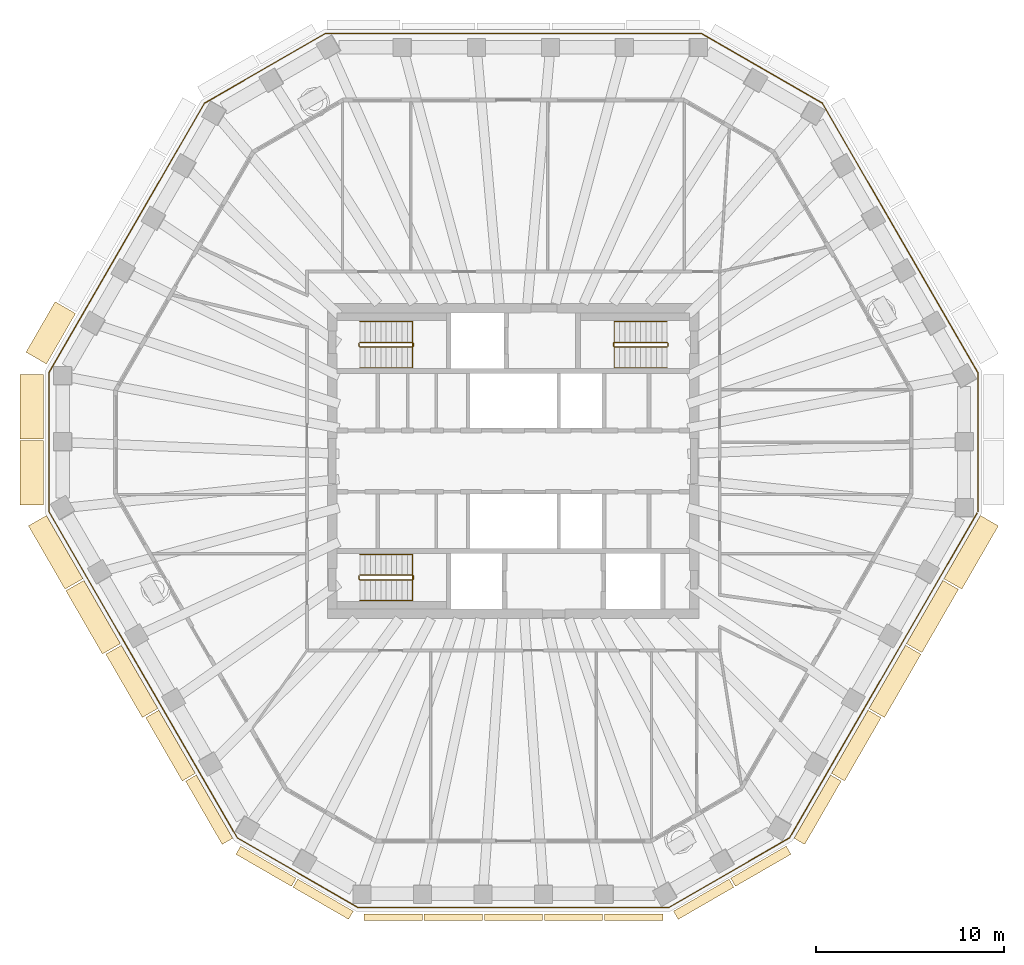
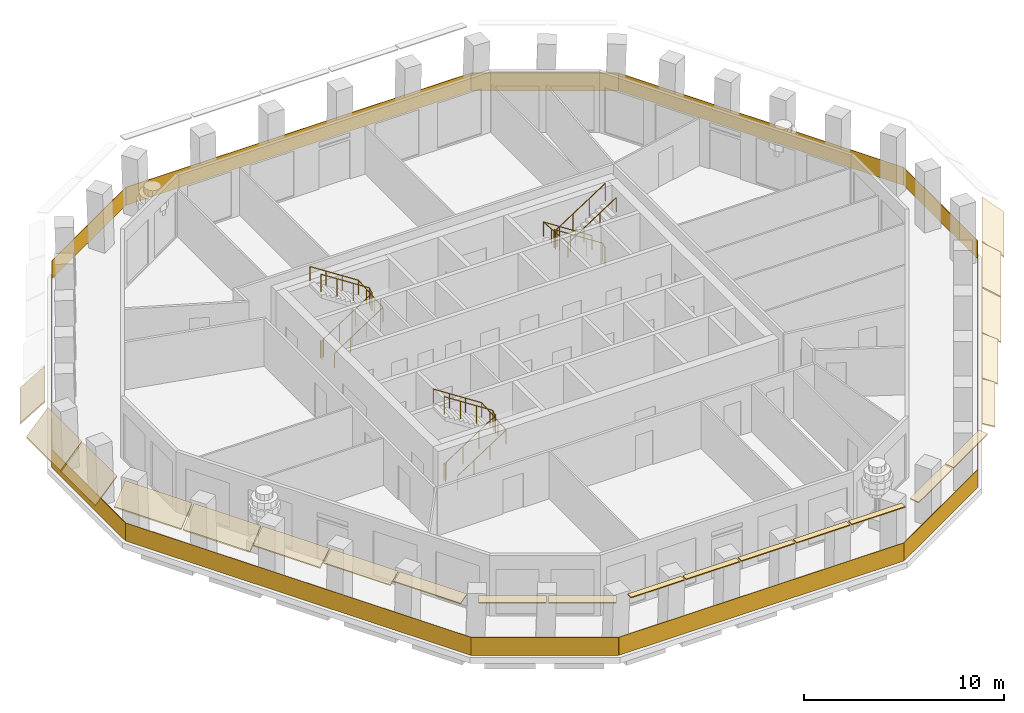
# One storey, part 8 of 11: 22 coverings, 7 railings.
"""IFC4 building model written with IfcOpenShell, lengths in metres."""

from ifc_helpers import new_model, si_unit, direction, frame, origin, origin_2d, place, context, subcontext, project, spatial, polyline, rectangle, circle, outline, extrude, material, layer, layer_set, type_object, element, save


model = new_model("IFC4")

# Units and contexts
model_context = context("Model", 3, precision=1e-05, world=origin(), true_north=direction((0.0, 1.0)))
body_context = subcontext(model_context, "Body", "Model", "MODEL_VIEW")
ifc_project = project(units=[si_unit("LENGTHUNIT", "METRE"), si_unit("AREAUNIT", "SQUARE_METRE"), si_unit("VOLUMEUNIT", "CUBIC_METRE"), si_unit("PLANEANGLEUNIT", "RADIAN"), si_unit("MASSUNIT", "GRAM", prefix="KILO")], contexts=[model_context])

# Site, building, storey
site_placement = place(None, origin())
site = spatial("IfcSite", under=ifc_project, at=site_placement, CompositionType="ELEMENT")
building_placement = place(site_placement, origin())
building = spatial("IfcBuilding", under=site, at=building_placement, Name="Frailejon Research Tower", CompositionType="ELEMENT")
storey_placement = place(building_placement, frame((0.0, 0.0, 295.0)))
storey = spatial("IfcBuildingStorey", under=building, at=storey_placement, Name="L65", CompositionType="ELEMENT", Elevation=295.0)

# Coverings
ifc_material_1 = material(Name="Precast concrete C50/60", Category="concrete")
ifc_layer_1 = layer(ifc_material_1, 0.06005859375)
ifc_layer_set_1 = layer_set([ifc_layer_1], Name="Brim blade depth 1100")
covering_type_1 = type_object("IfcCoveringType", Name="Brim blade depth 1100", PredefinedType="CLADDING", material=ifc_layer_set_1)
covering_1_placement = place(storey_placement, frame((-22.837646484375, -6.244140625, 3.85009765625), z_axis=(-0.49999544096, 0.866028035931, 0.0), x_axis=(-0.866028035931, -0.49999544096, 0.0)))
element("IfcCovering", 1, at=covering_1_placement, inside=storey, type_object=covering_type_1, Name="Brim blade L65", PredefinedType="CLADDING", context=body_context, shape_type="SweptSolid", body=[
    extrude(outline(polyline([(0.0, -0.078369140625), (1.10009765625, -1.001220703125), (1.10009765625, -0.923095703125), (0.0, 0.0), (0.0, -0.078369140625)])), origin(), (0.0, 0.0, 1.0), 3.874267578125),
])
covering_2_placement = place(storey_placement, frame((-20.8505859375, -9.685791015625, 3.85009765625), z_axis=(-0.500006337037, 0.866021745064, 0.0), x_axis=(-0.866021745064, -0.500006337037, 0.0)))
element("IfcCovering", 2, at=covering_2_placement, inside=storey, type_object=covering_type_1, Name="Brim blade L65", PredefinedType="CLADDING", context=body_context, shape_type="SweptSolid", body=[
    extrude(outline(polyline([(0.0, -0.078369140625), (1.10009765625, -1.001220703125), (1.10009765625, -0.923095703125), (0.0, 0.0), (0.0, -0.078369140625)])), origin(), (0.0, 0.0, 1.0), 3.8740234375),
])
covering_3_placement = place(storey_placement, frame((24.774658203125, -2.888916015625, 3.85009765625), z_axis=(-0.49999544096, -0.866028035931, 0.0), x_axis=(0.866028035931, -0.49999544096, 0.0)))
element("IfcCovering", 3, at=covering_3_placement, inside=storey, type_object=covering_type_1, Name="Brim blade L65", PredefinedType="CLADDING", context=body_context, shape_type="SweptSolid", body=[
    extrude(outline(polyline([(0.0, -0.078369140625), (1.10009765625, -1.001220703125), (1.10009765625, -0.923095703125), (0.0, 0.0), (0.0, -0.078369140625)])), origin(), (0.0, 0.0, 1.0), 3.874267578125),
])
ifc_material_2 = material(Name="Precast concrete C50/60", Category="concrete")
ifc_layer_2 = layer(ifc_material_2, 0.06005859375)
ifc_layer_set_2 = layer_set([ifc_layer_2], Name="Brim blade depth 1250")
covering_type_2 = type_object("IfcCoveringType", Name="Brim blade depth 1250", PredefinedType="CLADDING", material=ifc_layer_set_2)
covering_4_placement = place(storey_placement, frame((-24.774658203125, 5.151611328125, 3.85009765625), z_axis=(0.499995581785, 0.866027954627, 0.0), x_axis=(-0.866027954627, 0.499995581785, 0.0)))
element("IfcCovering", 4, at=covering_4_placement, inside=storey, type_object=covering_type_2, Name="Brim blade L65", PredefinedType="CLADDING", context=body_context, shape_type="SweptSolid", body=[
    extrude(outline(polyline([(0.0, -0.0888671875), (1.25, -1.452880859375), (1.25, -1.364013671875), (0.0, 0.0), (0.0, -0.0888671875)])), origin(), (0.0, 0.0, 1.0), 3.09033203125),
])
covering_5_placement = place(storey_placement, frame((-24.927001953125, 1.181396484375, 3.85009765625), z_axis=(0.0, 1.0, 0.0), x_axis=(-1.0, 0.0, 0.0)))
element("IfcCovering", 5, at=covering_5_placement, inside=storey, type_object=covering_type_2, Name="Brim blade L65", PredefinedType="CLADDING", context=body_context, shape_type="SweptSolid", body=[
    extrude(outline(polyline([(0.0, -0.0888671875), (1.25, -1.452880859375), (1.25, -1.364013671875), (0.0, 0.0), (0.0, -0.0888671875)])), origin(), (0.0, 0.0, 1.0), 3.402099609375),
])
covering_6_placement = place(storey_placement, frame((-24.927001953125, -2.320556640625, 3.85009765625), z_axis=(0.0, 1.0, 0.0), x_axis=(-1.0, 0.0, 0.0)))
element("IfcCovering", 6, at=covering_6_placement, inside=storey, type_object=covering_type_2, Name="Brim blade L65", PredefinedType="CLADDING", context=body_context, shape_type="SweptSolid", body=[
    extrude(outline(polyline([(0.0, -0.0888671875), (1.25, -1.452880859375), (1.25, -1.364013671875), (0.0, 0.0), (0.0, -0.0888671875)])), origin(), (0.0, 0.0, 1.0), 3.40185546875),
])
ifc_material_3 = material(Name="Precast concrete C50/60", Category="concrete")
ifc_layer_3 = layer(ifc_material_3, 0.06005859375)
ifc_layer_set_3 = layer_set([ifc_layer_3], Name="Brim blade depth 350")
covering_type_3 = type_object("IfcCoveringType", Name="Brim blade depth 350", PredefinedType="CLADDING", material=ifc_layer_set_3)
for number, where, z_axis, x_axis, name in (
    (7, (-4.835693359375, -24.03125, 3.85009765625), (-1.0, 0.0, 0.0), (0.0, -1.0, 0.0), "Brim blade L65"),
    (8, (-1.645263671875, -24.03125, 3.85009765625), (-1.0, 0.0, 0.0), (0.0, -1.0, 0.0), "Brim blade L65"),
    (9, (1.545166015625, -24.03125, 3.85009765625), (-1.0, 0.0, 0.0), (0.0, -1.0, 0.0), "Brim blade L65"),
    (10, (4.735595703125, -24.03125, 3.85009765625), (-1.0, 0.0, 0.0), (0.0, -1.0, 0.0), "Brim blade L65"),
    (11, (7.92578125, -24.03125, 3.85009765625), (-1.0, 0.0, 0.0), (0.0, -1.0, 0.0), "Brim blade L65"),
):
    element("IfcCovering", number, at=place(storey_placement, frame(where, z_axis=z_axis, x_axis=x_axis)), inside=storey, type_object=covering_type_3, Name=name, PredefinedType="CLADDING", context=body_context, shape_type="SweptSolid", body=[
        extrude(outline(polyline([(0.0, -0.06005859375), (0.35009765625, -0.06005859375), (0.35009765625, 0.0), (0.0, 0.0), (0.0, -0.06005859375)])), origin(), (0.0, 0.0, 1.0), 3.09033203125),
    ])
ifc_material_4 = material(Name="Precast concrete C50/60", Category="concrete")
ifc_layer_4 = layer(ifc_material_4, 0.06005859375)
ifc_layer_set_4 = layer_set([ifc_layer_4], Name="Brim blade depth 500")
covering_type_4 = type_object("IfcCoveringType", Name="Brim blade depth 500", PredefinedType="CLADDING", material=ifc_layer_set_4)
covering_7_placement = place(storey_placement, frame((-11.527099609375, -22.128173828125, 3.85009765625), z_axis=(-0.866023907216, 0.500002592124, 0.0), x_axis=(-0.500002592124, -0.866023907216, 0.0)))
element("IfcCovering", 12, at=covering_7_placement, inside=storey, type_object=covering_type_4, Name="Brim blade L65", PredefinedType="CLADDING", context=body_context, shape_type="SweptSolid", body=[
    extrude(outline(polyline([(0.0, -0.060546875), (0.5, -0.130859375), (0.5, -0.0703125), (0.0, 0.0), (0.0, -0.060546875)])), origin(), (0.0, 0.0, 1.0), 3.402099609375),
])
for number, where, z_axis, x_axis, name in (
    (13, (-8.494140625, -23.87890625, 3.85009765625), (-0.866036272098, 0.499981175056, 0.0), (-0.499981175056, -0.866036272098, 0.0), "Brim blade L65"),
    (14, (11.4404296875, -22.177978515625, 3.85009765625), (-0.866036272098, -0.499981175056, 0.0), (0.499981175056, -0.866036272098, 0.0), "Brim blade L65"),
):
    element("IfcCovering", number, at=place(storey_placement, frame(where, z_axis=z_axis, x_axis=x_axis)), inside=storey, type_object=covering_type_4, Name=name, PredefinedType="CLADDING", context=body_context, shape_type="SweptSolid", body=[
        extrude(outline(polyline([(0.0, -0.060546875), (0.5, -0.130859375), (0.5, -0.0703125), (0.0, 0.0), (0.0, -0.060546875)])), origin(), (0.0, 0.0, 1.0), 3.40185546875),
    ])
covering_8_placement = place(storey_placement, frame((14.47314453125, -20.427001953125, 3.85009765625), z_axis=(-0.866023907216, -0.500002592124, 0.0), x_axis=(0.500002592124, -0.866023907216, 0.0)))
element("IfcCovering", 15, at=covering_8_placement, inside=storey, type_object=covering_type_4, Name="Brim blade L65", PredefinedType="CLADDING", context=body_context, shape_type="SweptSolid", body=[
    extrude(outline(polyline([(0.0, -0.060546875), (0.5, -0.130859375), (0.5, -0.0703125), (0.0, 0.0), (0.0, -0.060546875)])), origin(), (0.0, 0.0, 1.0), 3.402099609375),
])
ifc_material_5 = material(Name="Precast concrete C50/60", Category="concrete")
ifc_layer_5 = layer(ifc_material_5, 0.06005859375)
ifc_layer_set_5 = layer_set([ifc_layer_5], Name="Brim blade depth 650")
covering_type_5 = type_object("IfcCoveringType", Name="Brim blade depth 650", PredefinedType="CLADDING", material=ifc_layer_set_5)
for number, where, z_axis, x_axis, name in (
    (16, (-14.88916015625, -20.010986328125, 3.85009765625), (-0.49999544096, 0.866028035931, 0.0), (-0.866028035931, -0.49999544096, 0.0), "Brim blade L65"),
    (17, (16.826416015625, -16.656005859375, 3.85009765625), (-0.49999544096, -0.866028035931, 0.0), (0.866028035931, -0.49999544096, 0.0), "Brim blade L65"),
):
    element("IfcCovering", number, at=place(storey_placement, frame(where, z_axis=z_axis, x_axis=x_axis)), inside=storey, type_object=covering_type_5, Name=name, PredefinedType="CLADDING", context=body_context, shape_type="SweptSolid", body=[
        extrude(outline(polyline([(0.0, -0.0625), (0.64990234375, -0.248779296875), (0.64990234375, -0.186279296875), (0.0, 0.0), (0.0, -0.0625)])), origin(), (0.0, 0.0, 1.0), 3.874267578125),
    ])
ifc_material_6 = material(Name="Precast concrete C50/60", Category="concrete")
ifc_layer_6 = layer(ifc_material_6, 0.06005859375)
ifc_layer_set_6 = layer_set([ifc_layer_6], Name="Brim blade depth 800")
covering_type_6 = type_object("IfcCoveringType", Name="Brim blade depth 800", PredefinedType="CLADDING", material=ifc_layer_set_6)
for number, where, z_axis, x_axis, name in (
    (18, (-16.876220703125, -16.5693359375, 3.85009765625), (-0.500006337037, 0.866021745064, 0.0), (-0.866021745064, -0.500006337037, 0.0), "Brim blade L65"),
    (19, (18.8134765625, -13.214111328125, 3.85009765625), (-0.500006337037, -0.866021745064, 0.0), (0.866021745064, -0.500006337037, 0.0), "Brim blade L65"),
):
    element("IfcCovering", number, at=place(storey_placement, frame(where, z_axis=z_axis, x_axis=x_axis)), inside=storey, type_object=covering_type_6, Name=name, PredefinedType="CLADDING", context=body_context, shape_type="SweptSolid", body=[
        extrude(outline(polyline([(0.0, -0.065673828125), (0.800048828125, -0.421875), (0.800048828125, -0.356201171875), (0.0, 0.0), (0.0, -0.065673828125)])), origin(), (0.0, 0.0, 1.0), 3.8740234375),
    ])
ifc_material_7 = material(Name="Precast concrete C50/60", Category="concrete")
ifc_layer_7 = layer(ifc_material_7, 0.06005859375)
ifc_layer_set_7 = layer_set([ifc_layer_7], Name="Brim blade depth 950")
covering_type_7 = type_object("IfcCoveringType", Name="Brim blade depth 950", PredefinedType="CLADDING", material=ifc_layer_set_7)
for number, where, z_axis, x_axis, name in (
    (20, (-18.86328125, -13.127685546875, 3.85009765625), (-0.49999544096, 0.866028035931, 0.0), (-0.866028035931, -0.49999544096, 0.0), "Brim blade L65"),
    (21, (20.800537109375, -9.7724609375, 3.85009765625), (-0.49999544096, -0.866028035931, 0.0), (0.866028035931, -0.49999544096, 0.0), "Brim blade L65"),
):
    element("IfcCovering", number, at=place(storey_placement, frame(where, z_axis=z_axis, x_axis=x_axis)), inside=storey, type_object=covering_type_7, Name=name, PredefinedType="CLADDING", context=body_context, shape_type="SweptSolid", body=[
        extrude(outline(polyline([(0.0, -0.07080078125), (0.949951171875, -0.664306640625), (0.949951171875, -0.593505859375), (0.0, 0.0), (0.0, -0.07080078125)])), origin(), (0.0, 0.0, 1.0), 3.874267578125),
    ])
covering_9_placement = place(storey_placement, frame((22.78759765625, -6.330810546875, 3.85009765625), z_axis=(-0.500006337037, -0.866021745064, 0.0), x_axis=(0.866021745064, -0.500006337037, 0.0)))
element("IfcCovering", 22, at=covering_9_placement, inside=storey, type_object=covering_type_7, Name="Brim blade L65", PredefinedType="CLADDING", context=body_context, shape_type="SweptSolid", body=[
    extrude(outline(polyline([(0.0, -0.07080078125), (0.949951171875, -0.664306640625), (0.949951171875, -0.593505859375), (0.0, 0.0), (0.0, -0.07080078125)])), origin(), (0.0, 0.0, 1.0), 3.8740234375),
])

# Railings
ifc_material_8 = material(Name="Laminated glass balustrade", Category="glass")
railing_type_1 = type_object("IfcRailingType", Name="Glass guard 1100", PredefinedType="GUARDRAIL", material=ifc_material_8)
railing_1_placement = place(storey_placement, frame((24.63623046875, -2.6923828125, 0.0)))
element("IfcRailing", 23, at=railing_1_placement, inside=storey, type_object=railing_type_1, Name="Loggia guard L65", PredefinedType="GUARDRAIL", context=body_context, shape_type="SweptSolid", body=[
    extrude(rectangle(XDim=7.39599609375, YDim=0.030029296875, at=origin_2d()), frame((0.0, 3.697998046875, 0.0), z_axis=(0.0, 0.0, 1.0), x_axis=(0.0, 1.0, 0.0)), (0.0, 0.0, 1.0), 1.10009765625),
    extrude(rectangle(XDim=16.489501953125, YDim=0.030029296875, at=origin_2d()), frame((-4.122314453125, 14.5361328125, 0.0), z_axis=(0.0, 0.0, 1.0), x_axis=(-0.499995869749, 0.866027788373, 0.0)), (0.0, 0.0, 1.0), 1.10009765625),
    extrude(rectangle(XDim=7.396240234375, YDim=0.030029296875, at=origin_2d()), frame((-11.447265625, 23.525390625, 0.0), z_axis=(0.0, 0.0, 1.0), x_axis=(-0.866030573133, 0.49999104632, 0.0)), (0.0, 0.0, 1.0), 1.10009765625),
    extrude(rectangle(XDim=19.97265625, YDim=0.030029296875, at=origin_2d()), frame((-24.63623046875, 25.374267578125, 0.0), z_axis=(0.0, 0.0, 1.0), x_axis=(-1.0, 0.0, 0.0)), (0.0, 0.0, 1.0), 1.10009765625),
    extrude(rectangle(XDim=7.396240234375, YDim=0.030029296875, at=origin_2d()), frame((-37.8251953125, 23.525390625, 0.0), z_axis=(0.0, 0.0, 1.0), x_axis=(-0.866030573133, -0.49999104632, 0.0)), (0.0, 0.0, 1.0), 1.10009765625),
    extrude(rectangle(XDim=16.489501953125, YDim=0.030029296875, at=origin_2d()), frame((-45.150146484375, 14.5361328125, 0.0), z_axis=(0.0, 0.0, 1.0), x_axis=(-0.499995869749, -0.866027788373, 0.0)), (0.0, 0.0, 1.0), 1.10009765625),
    extrude(rectangle(XDim=7.39599609375, YDim=0.030029296875, at=origin_2d()), frame((-49.2724609375, 3.697998046875, 0.0), z_axis=(0.0, 0.0, 1.0), x_axis=(0.0, -1.0, 0.0)), (0.0, 0.0, 1.0), 1.10009765625),
    extrude(rectangle(XDim=19.972900390625, YDim=0.030029296875, at=origin_2d()), frame((-44.279296875, -8.6484375, 0.0), z_axis=(0.0, 0.0, 1.0), x_axis=(0.499993681414, -0.866029051791, 0.0)), (0.0, 0.0, 1.0), 1.10009765625),
    extrude(rectangle(XDim=7.396240234375, YDim=0.030029296875, at=origin_2d()), frame((-36.08349609375, -19.14599609375, 0.0), z_axis=(0.0, 0.0, 1.0), x_axis=(0.866030573133, -0.49999104632, 0.0)), (0.0, 0.0, 1.0), 1.10009765625),
    extrude(rectangle(XDim=16.4892578125, YDim=0.030029296875, at=origin_2d()), frame((-24.63623046875, -20.9951171875, 0.0), z_axis=(0.0, 0.0, 1.0), x_axis=(1.0, 0.0, 0.0)), (0.0, 0.0, 1.0), 1.10009765625),
    extrude(rectangle(XDim=7.396240234375, YDim=0.030029296875, at=origin_2d()), frame((-13.18896484375, -19.14599609375, 0.0), z_axis=(0.0, 0.0, 1.0), x_axis=(0.866030573133, 0.49999104632, 0.0)), (0.0, 0.0, 1.0), 1.10009765625),
    extrude(rectangle(XDim=19.903076171875, YDim=0.030029296875, at=origin_2d()), frame((-5.0107421875, -8.6787109375, 0.0), z_axis=(0.0, 0.0, 1.0), x_axis=(0.499995341585, 0.866028093305, 0.0)), (0.0, 0.0, 1.0), 1.10009765625),
])
ifc_material_9 = material(Name="Stainless steel", Category="steel")
railing_type_2 = type_object("IfcRailingType", Name="Stair guard 1100", PredefinedType="GUARDRAIL", material=ifc_material_9)
railing_2_placement = place(storey_placement, frame((-8.199951171875, 6.25, 0.0)))
element("IfcRailing", 24, at=railing_2_placement, inside=storey, type_object=railing_type_2, Name="L65 ST1 stair guard 1", PredefinedType="GUARDRAIL", context=body_context, shape_type="SweptSolid", body=[
    extrude(circle(Radius=0.02392578125, at=origin_2d()), frame((0.0, 0.0, 1.076171875), z_axis=(0.0, -1.0, 0.0), x_axis=(1.0, 0.0, 0.0)), (0.0, 0.0, 1.0), 0.14990234375),
    extrude(circle(Radius=0.02392578125, at=origin_2d()), frame((0.0, -0.14990234375, 1.076171875), z_axis=(0.256435381639, -0.256435381639, 0.931923704005), x_axis=(0.707106781187, 0.707106781187, 0.0)), (0.0, 0.0, 1.0), 0.195068359375),
    extrude(circle(Radius=0.02392578125, at=origin_2d()), frame((0.050048828125, -0.199951171875, 1.2578125), z_axis=(0.83868413941, 0.0, 0.544618136222), x_axis=(0.0, 1.0, 0.0)), (0.0, 0.0, 1.0), 3.33837890625),
    extrude(circle(Radius=0.02392578125, at=origin_2d()), frame((2.849853515625, -0.199951171875, 3.076171875), z_axis=(0.707106781187, 0.707106781187, 0.0), x_axis=(-0.707106781187, 0.707106781187, 0.0)), (0.0, 0.0, 1.0), 0.07080078125),
    extrude(circle(Radius=0.02392578125, at=origin_2d()), frame((2.89990234375, -0.14990234375, 3.076171875), z_axis=(0.0, 1.0, 0.0), x_axis=(-1.0, 0.0, 0.0)), (0.0, 0.0, 1.0), 0.14990234375),
    extrude(circle(Radius=0.02392578125, at=origin_2d()), frame((2.89990234375, 0.0, 3.076171875), z_axis=(-0.256435381639, 0.256435381639, 0.931923704005), x_axis=(-0.707106781187, -0.707106781187, 0.0)), (0.0, 0.0, 1.0), 0.195068359375),
    extrude(circle(Radius=0.02392578125, at=origin_2d()), frame((2.849853515625, 0.050048828125, 3.2578125), z_axis=(-0.83868413941, 0.0, 0.544618136222), x_axis=(0.0, -1.0, 0.0)), (0.0, 0.0, 1.0), 3.33837890625),
    extrude(circle(Radius=0.02099609375, at=origin_2d()), origin(), (0.0, 0.0, 1.0), 1.052001953125),
    extrude(circle(Radius=0.02099609375, at=origin_2d()), frame((0.0, -0.14990234375, 0.0)), (0.0, 0.0, 1.0), 1.052001953125),
    extrude(circle(Radius=0.02099609375, at=origin_2d()), frame((0.050048828125, -0.199951171875, 0.181884765625)), (0.0, 0.0, 1.0), 1.052001953125),
    extrude(circle(Radius=0.02099609375, at=origin_2d()), frame((0.9833984375, -0.199951171875, 0.787841796875)), (0.0, 0.0, 1.0), 1.052001953125),
    extrude(circle(Radius=0.02099609375, at=origin_2d()), frame((1.91650390625, -0.199951171875, 1.39404296875)), (0.0, 0.0, 1.0), 1.052001953125),
    extrude(circle(Radius=0.02099609375, at=origin_2d()), frame((2.849853515625, -0.199951171875, 2.0)), (0.0, 0.0, 1.0), 1.052001953125),
    extrude(circle(Radius=0.02099609375, at=origin_2d()), frame((2.89990234375, -0.14990234375, 2.0)), (0.0, 0.0, 1.0), 1.052001953125),
    extrude(circle(Radius=0.02099609375, at=origin_2d()), frame((2.89990234375, 0.0, 2.0)), (0.0, 0.0, 1.0), 1.052001953125),
    extrude(circle(Radius=0.02099609375, at=origin_2d()), frame((2.849853515625, 0.050048828125, 2.181884765625)), (0.0, 0.0, 1.0), 1.052001953125),
    extrude(circle(Radius=0.02099609375, at=origin_2d()), frame((1.91650390625, 0.050048828125, 2.787841796875)), (0.0, 0.0, 1.0), 1.052001953125),
    extrude(circle(Radius=0.02099609375, at=origin_2d()), frame((0.9833984375, 0.050048828125, 3.39404296875)), (0.0, 0.0, 1.0), 1.052001953125),
    extrude(circle(Radius=0.02099609375, at=origin_2d()), frame((0.050048828125, 0.050048828125, 4.0)), (0.0, 0.0, 1.0), 1.052001953125),
])
railing_3_placement = place(storey_placement, frame((-8.199951171875, -6.10009765625, 0.0)))
element("IfcRailing", 25, at=railing_3_placement, inside=storey, type_object=railing_type_2, Name="L65 ST2 stair guard 1", PredefinedType="GUARDRAIL", context=body_context, shape_type="SweptSolid", body=[
    extrude(circle(Radius=0.02392578125, at=origin_2d()), frame((0.0, 0.0, 1.076171875), z_axis=(0.0, -1.0, 0.0), x_axis=(1.0, 0.0, 0.0)), (0.0, 0.0, 1.0), 0.14990234375),
    extrude(circle(Radius=0.02392578125, at=origin_2d()), frame((0.0, -0.14990234375, 1.076171875), z_axis=(0.256435381639, -0.256435381639, 0.931923704005), x_axis=(0.707106781187, 0.707106781187, 0.0)), (0.0, 0.0, 1.0), 0.195068359375),
    extrude(circle(Radius=0.02392578125, at=origin_2d()), frame((0.050048828125, -0.199951171875, 1.2578125), z_axis=(0.83868413941, 0.0, 0.544618136222), x_axis=(0.0, 1.0, 0.0)), (0.0, 0.0, 1.0), 3.33837890625),
    extrude(circle(Radius=0.02392578125, at=origin_2d()), frame((2.849853515625, -0.199951171875, 3.076171875), z_axis=(0.707106781187, 0.707106781187, 0.0), x_axis=(-0.707106781187, 0.707106781187, 0.0)), (0.0, 0.0, 1.0), 0.07080078125),
    extrude(circle(Radius=0.02392578125, at=origin_2d()), frame((2.89990234375, -0.14990234375, 3.076171875), z_axis=(0.0, 1.0, 0.0), x_axis=(-1.0, 0.0, 0.0)), (0.0, 0.0, 1.0), 0.14990234375),
    extrude(circle(Radius=0.02392578125, at=origin_2d()), frame((2.89990234375, 0.0, 3.076171875), z_axis=(-0.256435381639, 0.256435381639, 0.931923704005), x_axis=(-0.707106781187, -0.707106781187, 0.0)), (0.0, 0.0, 1.0), 0.195068359375),
    extrude(circle(Radius=0.02392578125, at=origin_2d()), frame((2.849853515625, 0.050048828125, 3.2578125), z_axis=(-0.83868413941, 0.0, 0.544618136222), x_axis=(0.0, -1.0, 0.0)), (0.0, 0.0, 1.0), 3.33837890625),
    extrude(circle(Radius=0.02099609375, at=origin_2d()), origin(), (0.0, 0.0, 1.0), 1.052001953125),
    extrude(circle(Radius=0.02099609375, at=origin_2d()), frame((0.0, -0.14990234375, 0.0)), (0.0, 0.0, 1.0), 1.052001953125),
    extrude(circle(Radius=0.02099609375, at=origin_2d()), frame((0.050048828125, -0.199951171875, 0.181884765625)), (0.0, 0.0, 1.0), 1.052001953125),
    extrude(circle(Radius=0.02099609375, at=origin_2d()), frame((0.9833984375, -0.199951171875, 0.787841796875)), (0.0, 0.0, 1.0), 1.052001953125),
    extrude(circle(Radius=0.02099609375, at=origin_2d()), frame((1.91650390625, -0.199951171875, 1.39404296875)), (0.0, 0.0, 1.0), 1.052001953125),
    extrude(circle(Radius=0.02099609375, at=origin_2d()), frame((2.849853515625, -0.199951171875, 2.0)), (0.0, 0.0, 1.0), 1.052001953125),
    extrude(circle(Radius=0.02099609375, at=origin_2d()), frame((2.89990234375, -0.14990234375, 2.0)), (0.0, 0.0, 1.0), 1.052001953125),
    extrude(circle(Radius=0.02099609375, at=origin_2d()), frame((2.89990234375, 0.0, 2.0)), (0.0, 0.0, 1.0), 1.052001953125),
    extrude(circle(Radius=0.02099609375, at=origin_2d()), frame((2.849853515625, 0.050048828125, 2.181884765625)), (0.0, 0.0, 1.0), 1.052001953125),
    extrude(circle(Radius=0.02099609375, at=origin_2d()), frame((1.91650390625, 0.050048828125, 2.787841796875)), (0.0, 0.0, 1.0), 1.052001953125),
    extrude(circle(Radius=0.02099609375, at=origin_2d()), frame((0.9833984375, 0.050048828125, 3.39404296875)), (0.0, 0.0, 1.0), 1.052001953125),
    extrude(circle(Radius=0.02099609375, at=origin_2d()), frame((0.050048828125, 0.050048828125, 4.0)), (0.0, 0.0, 1.0), 1.052001953125),
])
railing_4_placement = place(storey_placement, frame((8.199951171875, 6.10009765625, 0.0)))
element("IfcRailing", 26, at=railing_4_placement, inside=storey, type_object=railing_type_2, Name="L65 ST3 stair guard 1", PredefinedType="GUARDRAIL", context=body_context, shape_type="SweptSolid", body=[
    extrude(circle(Radius=0.02392578125, at=origin_2d()), frame((0.0, 0.0, 1.076171875), z_axis=(0.0, 1.0, 0.0), x_axis=(-1.0, 0.0, 0.0)), (0.0, 0.0, 1.0), 0.14990234375),
    extrude(circle(Radius=0.02392578125, at=origin_2d()), frame((0.0, 0.14990234375, 1.076171875), z_axis=(-0.256435381639, 0.256435381639, 0.931923704005), x_axis=(-0.707106781187, -0.707106781187, 0.0)), (0.0, 0.0, 1.0), 0.195068359375),
    extrude(circle(Radius=0.02392578125, at=origin_2d()), frame((-0.050048828125, 0.199951171875, 1.2578125), z_axis=(-0.83868413941, 0.0, 0.544618136222), x_axis=(0.0, -1.0, 0.0)), (0.0, 0.0, 1.0), 3.33837890625),
    extrude(circle(Radius=0.02392578125, at=origin_2d()), frame((-2.849853515625, 0.199951171875, 3.076171875), z_axis=(-0.707106781187, -0.707106781187, 0.0), x_axis=(0.707106781187, -0.707106781187, 0.0)), (0.0, 0.0, 1.0), 0.07080078125),
    extrude(circle(Radius=0.02392578125, at=origin_2d()), frame((-2.89990234375, 0.14990234375, 3.076171875), z_axis=(0.0, -1.0, 0.0), x_axis=(1.0, 0.0, 0.0)), (0.0, 0.0, 1.0), 0.14990234375),
    extrude(circle(Radius=0.02392578125, at=origin_2d()), frame((-2.89990234375, 0.0, 3.076171875), z_axis=(0.256435381639, -0.256435381639, 0.931923704005), x_axis=(0.707106781187, 0.707106781187, 0.0)), (0.0, 0.0, 1.0), 0.195068359375),
    extrude(circle(Radius=0.02392578125, at=origin_2d()), frame((-2.849853515625, -0.050048828125, 3.2578125), z_axis=(0.83868413941, 0.0, 0.544618136222), x_axis=(0.0, 1.0, 0.0)), (0.0, 0.0, 1.0), 3.33837890625),
    extrude(circle(Radius=0.02099609375, at=origin_2d()), origin(), (0.0, 0.0, 1.0), 1.052001953125),
    extrude(circle(Radius=0.02099609375, at=origin_2d()), frame((0.0, 0.14990234375, 0.0)), (0.0, 0.0, 1.0), 1.052001953125),
    extrude(circle(Radius=0.02099609375, at=origin_2d()), frame((-0.050048828125, 0.199951171875, 0.181884765625)), (0.0, 0.0, 1.0), 1.052001953125),
    extrude(circle(Radius=0.02099609375, at=origin_2d()), frame((-0.9833984375, 0.199951171875, 0.787841796875)), (0.0, 0.0, 1.0), 1.052001953125),
    extrude(circle(Radius=0.02099609375, at=origin_2d()), frame((-1.91650390625, 0.199951171875, 1.39404296875)), (0.0, 0.0, 1.0), 1.052001953125),
    extrude(circle(Radius=0.02099609375, at=origin_2d()), frame((-2.849853515625, 0.199951171875, 2.0)), (0.0, 0.0, 1.0), 1.052001953125),
    extrude(circle(Radius=0.02099609375, at=origin_2d()), frame((-2.89990234375, 0.14990234375, 2.0)), (0.0, 0.0, 1.0), 1.052001953125),
    extrude(circle(Radius=0.02099609375, at=origin_2d()), frame((-2.89990234375, 0.0, 2.0)), (0.0, 0.0, 1.0), 1.052001953125),
    extrude(circle(Radius=0.02099609375, at=origin_2d()), frame((-2.849853515625, -0.050048828125, 2.181884765625)), (0.0, 0.0, 1.0), 1.052001953125),
    extrude(circle(Radius=0.02099609375, at=origin_2d()), frame((-1.91650390625, -0.050048828125, 2.787841796875)), (0.0, 0.0, 1.0), 1.052001953125),
    extrude(circle(Radius=0.02099609375, at=origin_2d()), frame((-0.9833984375, -0.050048828125, 3.39404296875)), (0.0, 0.0, 1.0), 1.052001953125),
    extrude(circle(Radius=0.02099609375, at=origin_2d()), frame((-0.050048828125, -0.050048828125, 4.0)), (0.0, 0.0, 1.0), 1.052001953125),
])
ifc_material_10 = material(Name="Stainless steel", Category="steel")
railing_type_3 = type_object("IfcRailingType", Name="Stair handrail 900", PredefinedType="HANDRAIL", material=ifc_material_10)
railing_5_placement = place(storey_placement, frame((-8.14990234375, 4.949951171875, 0.181884765625)))
element("IfcRailing", 27, at=railing_5_placement, inside=storey, type_object=railing_type_3, Name="L65 ST1 stair handrail 1", PredefinedType="HANDRAIL", context=body_context, shape_type="SweptSolid", body=[
    extrude(circle(Radius=0.02392578125, at=origin_2d()), frame((0.0, 0.0, 0.8759765625), z_axis=(0.83868413941, 0.0, 0.544618136222), x_axis=(0.0, 1.0, 0.0)), (0.0, 0.0, 1.0), 3.33837890625),
    extrude(circle(Radius=0.02392578125, at=origin_2d()), frame((2.7998046875, 0.0, 2.69384765625), z_axis=(0.0, 0.997255538948, 0.074036410216), x_axis=(-1.0, 0.0, 0.0)), (0.0, 0.0, 1.0), 2.456787109375),
    extrude(circle(Radius=0.02392578125, at=origin_2d()), frame((2.7998046875, 2.449951171875, 2.8759765625), z_axis=(-0.83868413941, 0.0, 0.544618136222), x_axis=(0.0, -1.0, 0.0)), (0.0, 0.0, 1.0), 3.33837890625),
    extrude(circle(Radius=0.02099609375, at=origin_2d()), origin(), (0.0, 0.0, 1.0), 0.851806640625),
    extrude(circle(Radius=0.02099609375, at=origin_2d()), frame((0.933349609375, 0.0, 0.60595703125)), (0.0, 0.0, 1.0), 0.851806640625),
    extrude(circle(Radius=0.02099609375, at=origin_2d()), frame((1.866455078125, 0.0, 1.212158203125)), (0.0, 0.0, 1.0), 0.851806640625),
    extrude(circle(Radius=0.02099609375, at=origin_2d()), frame((2.7998046875, 0.0, 1.818115234375)), (0.0, 0.0, 1.0), 0.851806640625),
    extrude(circle(Radius=0.02099609375, at=origin_2d()), frame((2.7998046875, 0.816650390625, 1.878662109375)), (0.0, 0.0, 1.0), 0.851806640625),
    extrude(circle(Radius=0.02099609375, at=origin_2d()), frame((2.7998046875, 1.63330078125, 1.939453125)), (0.0, 0.0, 1.0), 0.851806640625),
    extrude(circle(Radius=0.02099609375, at=origin_2d()), frame((2.7998046875, 2.449951171875, 2.0)), (0.0, 0.0, 1.0), 0.851806640625),
    extrude(circle(Radius=0.02099609375, at=origin_2d()), frame((1.866455078125, 2.449951171875, 2.60595703125)), (0.0, 0.0, 1.0), 0.851806640625),
    extrude(circle(Radius=0.02099609375, at=origin_2d()), frame((0.933349609375, 2.449951171875, 3.212158203125)), (0.0, 0.0, 1.0), 0.851806640625),
    extrude(circle(Radius=0.02099609375, at=origin_2d()), frame((0.0, 2.449951171875, 3.818115234375)), (0.0, 0.0, 1.0), 0.851806640625),
])
railing_6_placement = place(storey_placement, frame((-8.14990234375, -7.39990234375, 0.181884765625)))
element("IfcRailing", 28, at=railing_6_placement, inside=storey, type_object=railing_type_3, Name="L65 ST2 stair handrail 1", PredefinedType="HANDRAIL", context=body_context, shape_type="SweptSolid", body=[
    extrude(circle(Radius=0.02392578125, at=origin_2d()), frame((0.0, 0.0, 0.8759765625), z_axis=(0.83868413941, 0.0, 0.544618136222), x_axis=(0.0, 1.0, 0.0)), (0.0, 0.0, 1.0), 3.33837890625),
    extrude(circle(Radius=0.02392578125, at=origin_2d()), frame((2.7998046875, 0.0, 2.69384765625), z_axis=(0.0, 0.997255538948, 0.074036410216), x_axis=(-1.0, 0.0, 0.0)), (0.0, 0.0, 1.0), 2.456787109375),
    extrude(circle(Radius=0.02392578125, at=origin_2d()), frame((2.7998046875, 2.449951171875, 2.8759765625), z_axis=(-0.83868413941, 0.0, 0.544618136222), x_axis=(0.0, -1.0, 0.0)), (0.0, 0.0, 1.0), 3.33837890625),
    extrude(circle(Radius=0.02099609375, at=origin_2d()), origin(), (0.0, 0.0, 1.0), 0.851806640625),
    extrude(circle(Radius=0.02099609375, at=origin_2d()), frame((0.933349609375, 0.0, 0.60595703125)), (0.0, 0.0, 1.0), 0.851806640625),
    extrude(circle(Radius=0.02099609375, at=origin_2d()), frame((1.866455078125, 0.0, 1.212158203125)), (0.0, 0.0, 1.0), 0.851806640625),
    extrude(circle(Radius=0.02099609375, at=origin_2d()), frame((2.7998046875, 0.0, 1.818115234375)), (0.0, 0.0, 1.0), 0.851806640625),
    extrude(circle(Radius=0.02099609375, at=origin_2d()), frame((2.7998046875, 0.816650390625, 1.878662109375)), (0.0, 0.0, 1.0), 0.851806640625),
    extrude(circle(Radius=0.02099609375, at=origin_2d()), frame((2.7998046875, 1.63330078125, 1.939453125)), (0.0, 0.0, 1.0), 0.851806640625),
    extrude(circle(Radius=0.02099609375, at=origin_2d()), frame((2.7998046875, 2.449951171875, 2.0)), (0.0, 0.0, 1.0), 0.851806640625),
    extrude(circle(Radius=0.02099609375, at=origin_2d()), frame((1.866455078125, 2.449951171875, 2.60595703125)), (0.0, 0.0, 1.0), 0.851806640625),
    extrude(circle(Radius=0.02099609375, at=origin_2d()), frame((0.933349609375, 2.449951171875, 3.212158203125)), (0.0, 0.0, 1.0), 0.851806640625),
    extrude(circle(Radius=0.02099609375, at=origin_2d()), frame((0.0, 2.449951171875, 3.818115234375)), (0.0, 0.0, 1.0), 0.851806640625),
])
railing_7_placement = place(storey_placement, frame((8.14990234375, 7.39990234375, 0.181884765625)))
element("IfcRailing", 29, at=railing_7_placement, inside=storey, type_object=railing_type_3, Name="L65 ST3 stair handrail 1", PredefinedType="HANDRAIL", context=body_context, shape_type="SweptSolid", body=[
    extrude(circle(Radius=0.02392578125, at=origin_2d()), frame((0.0, 0.0, 0.8759765625), z_axis=(-0.83868413941, 0.0, 0.544618136222), x_axis=(0.0, -1.0, 0.0)), (0.0, 0.0, 1.0), 3.33837890625),
    extrude(circle(Radius=0.02392578125, at=origin_2d()), frame((-2.7998046875, 0.0, 2.69384765625), z_axis=(0.0, -0.997255538948, 0.074036410216), x_axis=(1.0, 0.0, 0.0)), (0.0, 0.0, 1.0), 2.456787109375),
    extrude(circle(Radius=0.02392578125, at=origin_2d()), frame((-2.7998046875, -2.449951171875, 2.8759765625), z_axis=(0.83868413941, 0.0, 0.544618136222), x_axis=(0.0, 1.0, 0.0)), (0.0, 0.0, 1.0), 3.33837890625),
    extrude(circle(Radius=0.02099609375, at=origin_2d()), origin(), (0.0, 0.0, 1.0), 0.851806640625),
    extrude(circle(Radius=0.02099609375, at=origin_2d()), frame((-0.933349609375, 0.0, 0.60595703125)), (0.0, 0.0, 1.0), 0.851806640625),
    extrude(circle(Radius=0.02099609375, at=origin_2d()), frame((-1.866455078125, 0.0, 1.212158203125)), (0.0, 0.0, 1.0), 0.851806640625),
    extrude(circle(Radius=0.02099609375, at=origin_2d()), frame((-2.7998046875, 0.0, 1.818115234375)), (0.0, 0.0, 1.0), 0.851806640625),
    extrude(circle(Radius=0.02099609375, at=origin_2d()), frame((-2.7998046875, -0.816650390625, 1.878662109375)), (0.0, 0.0, 1.0), 0.851806640625),
    extrude(circle(Radius=0.02099609375, at=origin_2d()), frame((-2.7998046875, -1.63330078125, 1.939453125)), (0.0, 0.0, 1.0), 0.851806640625),
    extrude(circle(Radius=0.02099609375, at=origin_2d()), frame((-2.7998046875, -2.449951171875, 2.0)), (0.0, 0.0, 1.0), 0.851806640625),
    extrude(circle(Radius=0.02099609375, at=origin_2d()), frame((-1.866455078125, -2.449951171875, 2.60595703125)), (0.0, 0.0, 1.0), 0.851806640625),
    extrude(circle(Radius=0.02099609375, at=origin_2d()), frame((-0.933349609375, -2.449951171875, 3.212158203125)), (0.0, 0.0, 1.0), 0.851806640625),
    extrude(circle(Radius=0.02099609375, at=origin_2d()), frame((0.0, -2.449951171875, 3.818115234375)), (0.0, 0.0, 1.0), 0.851806640625),
])

save(model, "model.ifc")
